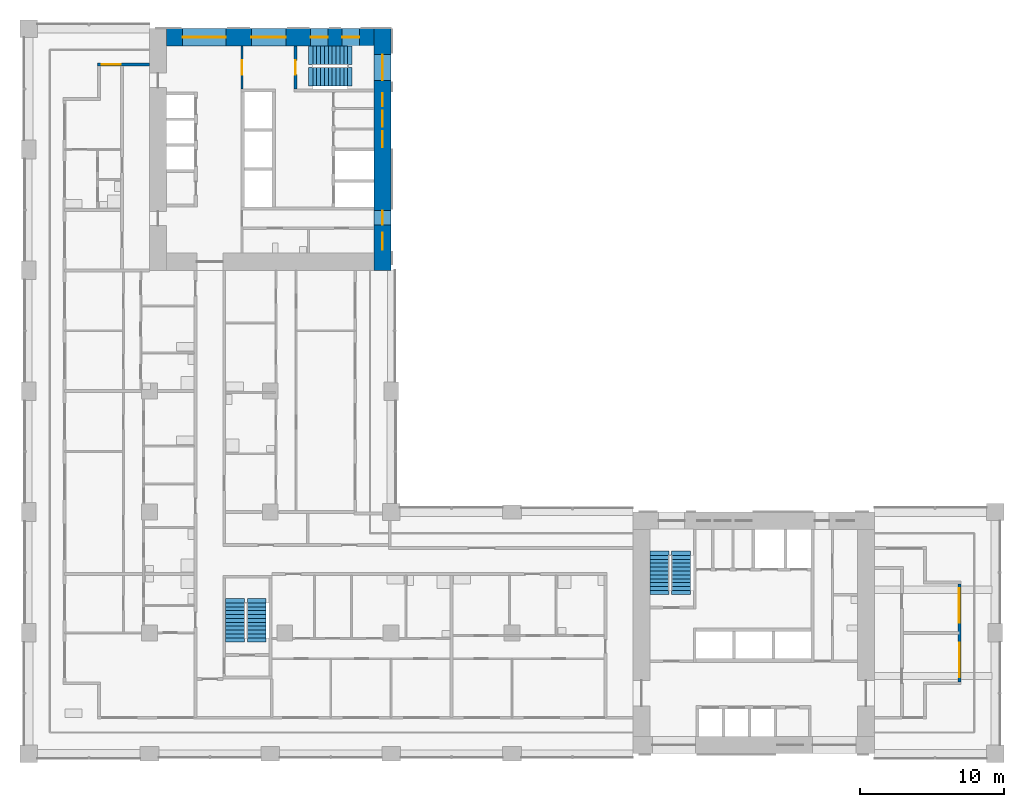
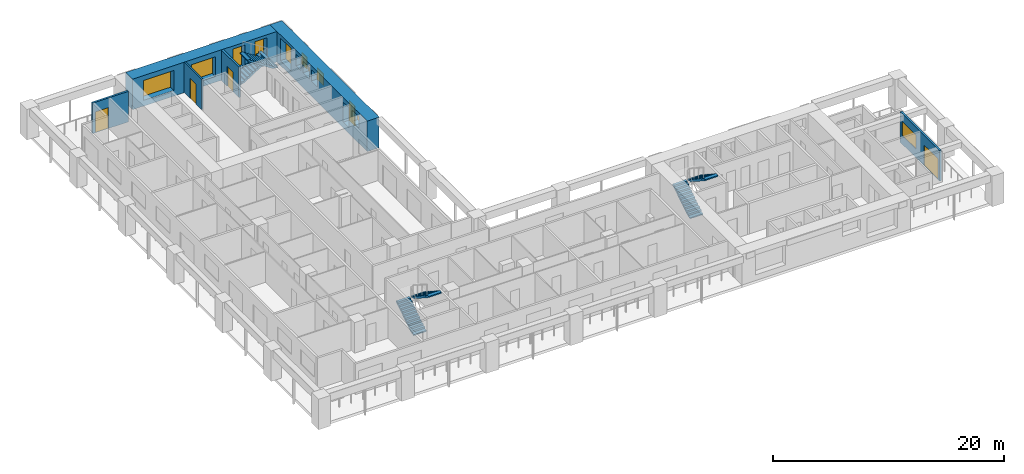
# One storey, part 8 of 17: 11 windows, 6 stair flights, 6 walls, 4 doors, 15 openings, 3 elements without a shape of their own.
"""IFC4 building model written with IfcOpenShell, lengths in metres."""

from ifc_helpers import new_model, si_unit, direction, frame, frame_2d, origin, place, context, subcontext, project, spatial, polyline, rectangle, outline, extrude, material, layer, layer_set, type_object, element, fill, aggregate, save


model = new_model("IFC4")

# Units and contexts
model_context = context("Model", 3, precision=1e-05, world=origin(), true_north=direction((0.0, 1.0)))
body_context = subcontext(model_context, "Body", "Model", "MODEL_VIEW")
ifc_project = project(units=[si_unit("LENGTHUNIT", "METRE"), si_unit("AREAUNIT", "SQUARE_METRE"), si_unit("VOLUMEUNIT", "CUBIC_METRE"), si_unit("PLANEANGLEUNIT", "RADIAN"), si_unit("MASSUNIT", "GRAM", prefix="KILO")], contexts=[model_context])

# Site, building, storey
site_placement = place(None, origin())
site = spatial("IfcSite", under=ifc_project, at=site_placement, CompositionType="ELEMENT")
building_placement = place(site_placement, origin())
building = spatial("IfcBuilding", under=site, at=building_placement, Name="Vermilion Gate Residences", CompositionType="ELEMENT")
storey_placement = place(building_placement, frame((0.0, 0.0, 116.199951171875)))
storey = spatial("IfcBuildingStorey", under=building, at=storey_placement, Name="L29", CompositionType="ELEMENT", Elevation=116.199951171875)

# Wall, opening, door
ifc_material_1 = material(Name="Masonry blockwork", Category="masonry")
ifc_layer_1 = layer(ifc_material_1, 0.14990234375)
ifc_layer_set_1 = layer_set([ifc_layer_1], Name="BLOCKWORK PARTITION 150 EI 120")
wall_type_1 = type_object("IfcWallType", Name="BLOCKWORK PARTITION 150 EI 120", PredefinedType="PARTITIONING", material=ifc_layer_set_1)
wall_1_placement = place(storey_placement, frame((14.824951171875, 57.60009765625, 0.0), z_axis=(0.0, 0.0, 1.0), x_axis=(0.0, -1.0, 0.0)))
wall_1 = element("IfcWall", 1, at=wall_1_placement, inside=storey, type_object=wall_type_1, Name="Core room partition B29-VW-S", PredefinedType="PARTITIONING", context=body_context, shape_type="SweptSolid", body=[
    extrude(rectangle(XDim=3.0, YDim=0.14990234375, at=frame_2d((1.5, 0.0))), origin(), (0.0, 0.0, 1.0), 3.219970703125),
])
opening_1_placement = place(wall_1_placement, frame((1.0, 0.0, 0.0)))
opening_1 = element("IfcOpeningElement", 2, at=opening_1_placement, cuts=wall_1, Name="Opening DK29113", PredefinedType="OPENING", context=body_context, shape_type="SweptSolid", body=[
    extrude(rectangle(XDim=1.0, YDim=2.10009765625, at=frame_2d((0.5, 1.050048828125))), frame((0.0, 0.0849609375, 0.0), z_axis=(0.0, -1.0, 0.0), x_axis=(1.0, 0.0, 0.0)), (0.0, 0.0, 1.0), 0.169921875),
])
ifc_material_2 = material(Name="Steel", Category="steel")
door_type_1 = type_object("IfcDoorType", Name="FIRE DOOR FD60 1000 X 2100", OperationType="SINGLE_SWING_LEFT", PredefinedType="DOOR", material=ifc_material_2)
door_1_placement = place(opening_1_placement, frame((1.0, 0.0, 0.0), z_axis=(0.0, 0.0, 1.0), x_axis=(-1.0, 0.0, 0.0)))
door_1 = element("IfcDoor", 3, at=door_1_placement, inside=storey, type_object=door_type_1, Name="Stair vestibule door B29", OperationType="SINGLE_SWING_RIGHT", OverallHeight=2.10009765625, OverallWidth=1.0, PredefinedType="DOOR", context=body_context, shape_type="SweptSolid", body=[
    extrude(rectangle(XDim=1.0, YDim=2.10009765625, at=frame_2d((0.5, 1.050048828125))), frame((0.0, 0.02490234375, 0.0), z_axis=(0.0, -1.0, 0.0), x_axis=(1.0, 0.0, 0.0)), (0.0, 0.0, 1.0), 0.050048828125),
])
fill(opening_1, door_1)

ifc_material_3 = material(Name="Insulated steel stud wall with terracotta rainscreen", Category="masonry")
ifc_layer_2 = layer(ifc_material_3, 0.199951171875)
ifc_layer_set_2 = layer_set([ifc_layer_2], Name="EXTERNAL WALL 200 TERRACOTTA RAINSCREEN")
wall_type_2 = type_object("IfcWallType", Name="EXTERNAL WALL 200 TERRACOTTA RAINSCREEN", PredefinedType="SOLIDWALL", material=ifc_layer_set_2)
wall_2_placement = place(storey_placement, frame((8.39990234375, 56.300048828125, 0.0), z_axis=(0.0, 0.0, 1.0), x_axis=(-1.0, 0.0, 0.0)))
wall_2 = element("IfcWall", 4, at=wall_2_placement, inside=storey, type_object=wall_type_2, Name="External wall", PredefinedType="SOLIDWALL", context=body_context, shape_type="SweptSolid", body=[
    extrude(rectangle(XDim=3.599853515625, YDim=0.199951171875, at=frame_2d((1.7998046875, 0.0))), origin(), (0.0, 0.0, 1.0), 3.219970703125),
])
opening_2_placement = place(wall_2_placement, frame((2.0, 0.0, 0.0)))
opening_2 = element("IfcOpeningElement", 5, at=opening_2_placement, cuts=wall_2, Name="Opening DE29001", PredefinedType="OPENING", context=body_context, shape_type="SweptSolid", body=[
    extrude(rectangle(XDim=1.300048828125, YDim=2.199951171875, at=frame_2d((0.64990234375, 1.10009765625))), frame((0.0, 0.10986328125, 0.0), z_axis=(0.0, -1.0, 0.0), x_axis=(1.0, 0.0, 0.0)), (0.0, 0.0, 1.0), 0.219970703125),
])
ifc_material_4 = material(Name="Aluminium and clear glass", Category="aluminium")
door_type_2 = type_object("IfcDoorType", Name="SLIDING GLAZED DOOR 1300 X 2200", OperationType="DOUBLE_DOOR_SLIDING", PredefinedType="DOOR", material=ifc_material_4)
door_2_placement = place(opening_2_placement, origin())
door_2 = element("IfcDoor", 6, at=door_2_placement, inside=storey, type_object=door_type_2, Name="Loggia sliding door", OperationType="DOUBLE_DOOR_SLIDING", OverallHeight=2.199951171875, OverallWidth=1.300048828125, PredefinedType="DOOR", context=body_context, shape_type="SweptSolid", body=[
    extrude(rectangle(XDim=1.300048828125, YDim=2.199951171875, at=frame_2d((0.64990234375, 1.10009765625))), frame((0.0, 0.02490234375, 0.0), z_axis=(0.0, -1.0, 0.0), x_axis=(1.0, 0.0, 0.0)), (0.0, 0.0, 1.0), 0.050048828125),
])
fill(opening_2, door_2)

# Wall, openings, door, window
wall_3_placement = place(storey_placement, frame((64.699951171875, 13.39990234375, 0.0), z_axis=(0.0, 0.0, 1.0), x_axis=(0.0, 1.0, 0.0)))
wall_3 = element("IfcWall", 7, at=wall_3_placement, inside=storey, type_object=wall_type_2, Name="External wall", PredefinedType="SOLIDWALL", context=body_context, shape_type="SweptSolid", body=[
    extrude(rectangle(XDim=6.800048828125, YDim=0.199951171875, at=frame_2d((3.39990234375, 0.0))), origin(), (0.0, 0.0, 1.0), 3.219970703125),
])
opening_3_placement = place(wall_3_placement, frame((4.10009765625, 0.0, 0.89990234375)))
opening_3 = element("IfcOpeningElement", 8, at=opening_3_placement, cuts=wall_3, Name="Opening WE29022", PredefinedType="OPENING", context=body_context, shape_type="SweptSolid", body=[
    extrude(rectangle(XDim=2.39990234375, YDim=1.5, at=frame_2d((1.199951171875, 0.75))), frame((0.0, 0.10986328125, 0.0), z_axis=(0.0, -1.0, 0.0), x_axis=(1.0, 0.0, 0.0)), (0.0, 0.0, 1.0), 0.219970703125),
])
opening_4_placement = place(wall_3_placement, frame((0.300048828125, 0.0, 0.0)))
opening_4 = element("IfcOpeningElement", 9, at=opening_4_placement, cuts=wall_3, Name="Opening DE29028", PredefinedType="OPENING", context=body_context, shape_type="SweptSolid", body=[
    extrude(rectangle(XDim=2.39990234375, YDim=2.199951171875, at=frame_2d((1.199951171875, 1.10009765625))), frame((0.0, 0.10986328125, 0.0), z_axis=(0.0, -1.0, 0.0), x_axis=(1.0, 0.0, 0.0)), (0.0, 0.0, 1.0), 0.219970703125),
])
ifc_material_5 = material(Name="Aluminium and clear glass", Category="aluminium")
door_type_3 = type_object("IfcDoorType", Name="SLIDING GLAZED DOOR 2400 X 2200", OperationType="DOUBLE_DOOR_SLIDING", PredefinedType="DOOR", material=ifc_material_5)
door_3_placement = place(opening_4_placement, origin())
door_3 = element("IfcDoor", 10, at=door_3_placement, inside=storey, type_object=door_type_3, Name="Loggia sliding door", OperationType="DOUBLE_DOOR_SLIDING", OverallHeight=2.199951171875, OverallWidth=2.39990234375, PredefinedType="DOOR", context=body_context, shape_type="SweptSolid", body=[
    extrude(rectangle(XDim=2.39990234375, YDim=2.199951171875, at=frame_2d((1.199951171875, 1.10009765625))), frame((0.0, 0.02490234375, 0.0), z_axis=(0.0, -1.0, 0.0), x_axis=(1.0, 0.0, 0.0)), (0.0, 0.0, 1.0), 0.050048828125),
])
fill(opening_4, door_3)
ifc_material_6 = material(Name="Aluminium and clear glass", Category="aluminium")
window_type_1 = type_object("IfcWindowType", Name="WINDOW 2400 X 1500", PartitioningType="SINGLE_PANEL", PredefinedType="WINDOW", material=ifc_material_6)
window_1_placement = place(opening_3_placement, origin())
window_1 = element("IfcWindow", 11, at=window_1_placement, inside=storey, type_object=window_type_1, Name="Window", OverallHeight=1.5, OverallWidth=2.39990234375, PartitioningType="SINGLE_PANEL", PredefinedType="WINDOW", context=body_context, shape_type="SweptSolid", body=[
    extrude(rectangle(XDim=2.39990234375, YDim=1.5, at=frame_2d((1.199951171875, 0.75))), frame((0.0, 0.030029296875, 0.0), z_axis=(0.0, -1.0, 0.0), x_axis=(1.0, 0.0, 0.0)), (0.0, 0.0, 1.0), 0.06005859375),
])
fill(opening_3, window_1)

# Wall, opening, door
ifc_material_7 = material(Name="Concrete C60", Category="concrete")
ifc_layer_3 = layer(ifc_material_7, 0.199951171875)
ifc_layer_set_3 = layer_set([ifc_layer_3], Name="RC CORE INTERNAL WALL 200 C60")
wall_type_3 = type_object("IfcWallType", Name="RC CORE INTERNAL WALL 200 C60", PredefinedType="SHEAR", material=ifc_layer_set_3)
wall_4_placement = place(storey_placement, frame((18.550048828125, 57.60009765625, 0.0), z_axis=(0.0, 0.0, 1.0), x_axis=(0.0, -1.0, 0.0)))
wall_4 = element("IfcWall", 12, at=wall_4_placement, inside=storey, type_object=wall_type_3, Name="Core internal wall B29-STW-S", PredefinedType="SHEAR", context=body_context, shape_type="SweptSolid", body=[
    extrude(rectangle(XDim=3.0, YDim=0.199951171875, at=frame_2d((1.5, 0.0))), origin(), (0.0, 0.0, 1.0), 3.219970703125),
])
opening_5_placement = place(wall_4_placement, frame((1.0, 0.0, 0.0)))
opening_5 = element("IfcOpeningElement", 13, at=opening_5_placement, cuts=wall_4, Name="Opening DK29114", PredefinedType="OPENING", context=body_context, shape_type="SweptSolid", body=[
    extrude(rectangle(XDim=1.0, YDim=2.10009765625, at=frame_2d((0.5, 1.050048828125))), frame((0.0, 0.10986328125, 0.0), z_axis=(0.0, -1.0, 0.0), x_axis=(1.0, 0.0, 0.0)), (0.0, 0.0, 1.0), 0.219970703125),
])
door_4_placement = place(opening_5_placement, origin())
door_4 = element("IfcDoor", 14, at=door_4_placement, inside=storey, type_object=door_type_1, Name="Stair door B29", OperationType="SINGLE_SWING_LEFT", OverallHeight=2.10009765625, OverallWidth=1.0, PredefinedType="DOOR", context=body_context, shape_type="SweptSolid", body=[
    extrude(rectangle(XDim=1.0, YDim=2.10009765625, at=frame_2d((0.5, 1.050048828125))), frame((0.0, 0.02490234375, 0.0), z_axis=(0.0, -1.0, 0.0), x_axis=(1.0, 0.0, 0.0)), (0.0, 0.0, 1.0), 0.050048828125),
])
fill(opening_5, door_4)

# Wall, openings, windows
ifc_material_8 = material(Name="Concrete C70 red-oxide pigmented", Category="concrete")
ifc_layer_4 = layer(ifc_material_8, 1.199951171875)
ifc_layer_set_4 = layer_set([ifc_layer_4], Name="RC CORE WALL 1200 C70 RED OXIDE")
wall_type_4 = type_object("IfcWallType", Name="RC CORE WALL 1200 C70 RED OXIDE", PredefinedType="SHEAR", material=ifc_layer_set_4)
wall_5_placement = place(storey_placement, frame((24.60009765625, 58.800048828125, 0.0), z_axis=(0.0, 0.0, 1.0), x_axis=(0.0, -1.0, 0.0)))
wall_5 = element("IfcWall", 15, at=wall_5_placement, inside=storey, type_object=wall_type_4, Name="Core wall B29-OUT-B1", PredefinedType="SHEAR", context=body_context, shape_type="SweptSolid", body=[
    extrude(rectangle(XDim=16.800048828125, YDim=1.199951171875, at=frame_2d((8.39990234375, 0.0))), origin(), (0.0, 0.0, 1.0), 3.219970703125),
])
opening_6_placement = place(wall_5_placement, frame((1.800048828125, 0.0, 0.5)))
opening_6 = element("IfcOpeningElement", 16, at=opening_6_placement, cuts=wall_5, Name="Opening WKB2901", PredefinedType="OPENING", context=body_context, shape_type="SweptSolid", body=[
    extrude(rectangle(XDim=1.800048828125, YDim=2.39990234375, at=frame_2d((0.89990234375, 1.199951171875))), frame((0.0, 0.60986328125, 0.0), z_axis=(0.0, -1.0, 0.0), x_axis=(1.0, 0.0, 0.0)), (0.0, 0.0, 1.0), 1.219970703125),
])
opening_7_placement = place(wall_5_placement, frame((4.489990234375, 0.0, 1.60009765625)))
opening_7 = element("IfcOpeningElement", 17, at=opening_7_placement, cuts=wall_5, Name="Opening WKB2902", PredefinedType="OPENING", context=body_context, shape_type="SweptSolid", body=[
    extrude(rectangle(XDim=0.89990234375, YDim=1.199951171875, at=frame_2d((0.449951171875, 0.60009765625))), frame((0.0, 0.60986328125, 0.0), z_axis=(0.0, -1.0, 0.0), x_axis=(1.0, 0.0, 0.0)), (0.0, 0.0, 1.0), 1.219970703125),
])
opening_8_placement = place(wall_5_placement, frame((5.7099609375, 0.0, 1.60009765625)))
opening_8 = element("IfcOpeningElement", 18, at=opening_8_placement, cuts=wall_5, Name="Opening WKB2903", PredefinedType="OPENING", context=body_context, shape_type="SweptSolid", body=[
    extrude(rectangle(XDim=1.10009765625, YDim=1.199951171875, at=frame_2d((0.550048828125, 0.60009765625))), frame((0.0, 0.60986328125, 0.0), z_axis=(0.0, -1.0, 0.0), x_axis=(1.0, 0.0, 0.0)), (0.0, 0.0, 1.0), 1.219970703125),
])
opening_9_placement = place(wall_5_placement, frame((7.14990234375, 0.0, 1.60009765625)))
opening_9 = element("IfcOpeningElement", 19, at=opening_9_placement, cuts=wall_5, Name="Opening WKB2904", PredefinedType="OPENING", context=body_context, shape_type="SweptSolid", body=[
    extrude(rectangle(XDim=1.10009765625, YDim=1.199951171875, at=frame_2d((0.550048828125, 0.60009765625))), frame((0.0, 0.60986328125, 0.0), z_axis=(0.0, -1.0, 0.0), x_axis=(1.0, 0.0, 0.0)), (0.0, 0.0, 1.0), 1.219970703125),
])
opening_10_placement = place(wall_5_placement, frame((12.64990234375, 0.0, 0.60009765625)))
opening_10 = element("IfcOpeningElement", 20, at=opening_10_placement, cuts=wall_5, Name="Opening WKB2905", PredefinedType="OPENING", context=body_context, shape_type="SweptSolid", body=[
    extrude(rectangle(XDim=1.0, YDim=2.10009765625, at=frame_2d((0.5, 1.050048828125))), frame((0.0, 0.60986328125, 0.0), z_axis=(0.0, -1.0, 0.0), x_axis=(1.0, 0.0, 0.0)), (0.0, 0.0, 1.0), 1.219970703125),
])
opening_11_placement = place(wall_5_placement, frame((14.175048828125, 0.0, 1.60009765625)))
opening_11 = element("IfcOpeningElement", 21, at=opening_11_placement, cuts=wall_5, Name="Opening WKB2906", PredefinedType="OPENING", context=body_context, shape_type="SweptSolid", body=[
    extrude(rectangle(XDim=1.199951171875, YDim=1.199951171875, at=frame_2d((0.60009765625, 0.60009765625))), frame((0.0, 0.60986328125, 0.0), z_axis=(0.0, -1.0, 0.0), x_axis=(1.0, 0.0, 0.0)), (0.0, 0.0, 1.0), 1.219970703125),
])
ifc_material_9 = material(Name="Aluminium and clear glass", Category="aluminium")
window_type_2 = type_object("IfcWindowType", Name="CORE CORRIDOR WINDOW 1000 X 2100", PartitioningType="SINGLE_PANEL", PredefinedType="WINDOW", material=ifc_material_9)
window_2_placement = place(opening_10_placement, origin())
window_2 = element("IfcWindow", 22, at=window_2_placement, inside=storey, type_object=window_type_2, Name="Core corridor window", OverallHeight=2.10009765625, OverallWidth=1.0, PartitioningType="SINGLE_PANEL", PredefinedType="WINDOW", context=body_context, shape_type="SweptSolid", body=[
    extrude(rectangle(XDim=1.0, YDim=2.10009765625, at=frame_2d((0.5, 1.050048828125))), frame((0.0, 0.030029296875, 0.0), z_axis=(0.0, -1.0, 0.0), x_axis=(1.0, 0.0, 0.0)), (0.0, 0.0, 1.0), 0.06005859375),
])
fill(opening_10, window_2)
ifc_material_10 = material(Name="Aluminium frame with louvre blades", Category="aluminium")
window_type_3 = type_object("IfcWindowType", Name="CORE LOUVRE 1100 X 1200", PartitioningType="SINGLE_PANEL", PredefinedType="WINDOW", material=ifc_material_10)
window_3_placement = place(opening_8_placement, origin())
window_3 = element("IfcWindow", 23, at=window_3_placement, inside=storey, type_object=window_type_3, Name="Core louvre", OverallHeight=1.199951171875, OverallWidth=1.10009765625, PartitioningType="SINGLE_PANEL", PredefinedType="WINDOW", context=body_context, shape_type="SweptSolid", body=[
    extrude(rectangle(XDim=1.10009765625, YDim=1.199951171875, at=frame_2d((0.550048828125, 0.60009765625))), frame((0.0, 0.030029296875, 0.0), z_axis=(0.0, -1.0, 0.0), x_axis=(1.0, 0.0, 0.0)), (0.0, 0.0, 1.0), 0.06005859375),
])
fill(opening_8, window_3)
window_4_placement = place(opening_9_placement, origin())
window_4 = element("IfcWindow", 24, at=window_4_placement, inside=storey, type_object=window_type_3, Name="Core louvre", OverallHeight=1.199951171875, OverallWidth=1.10009765625, PartitioningType="SINGLE_PANEL", PredefinedType="WINDOW", context=body_context, shape_type="SweptSolid", body=[
    extrude(rectangle(XDim=1.10009765625, YDim=1.199951171875, at=frame_2d((0.550048828125, 0.60009765625))), frame((0.0, 0.030029296875, 0.0), z_axis=(0.0, -1.0, 0.0), x_axis=(1.0, 0.0, 0.0)), (0.0, 0.0, 1.0), 0.06005859375),
])
fill(opening_9, window_4)
ifc_material_11 = material(Name="Aluminium frame with louvre blades", Category="aluminium")
window_type_4 = type_object("IfcWindowType", Name="CORE LOUVRE 1200 X 1200", PartitioningType="SINGLE_PANEL", PredefinedType="WINDOW", material=ifc_material_11)
window_5_placement = place(opening_11_placement, origin())
window_5 = element("IfcWindow", 25, at=window_5_placement, inside=storey, type_object=window_type_4, Name="Core louvre", OverallHeight=1.199951171875, OverallWidth=1.199951171875, PartitioningType="SINGLE_PANEL", PredefinedType="WINDOW", context=body_context, shape_type="SweptSolid", body=[
    extrude(rectangle(XDim=1.199951171875, YDim=1.199951171875, at=frame_2d((0.60009765625, 0.60009765625))), frame((0.0, 0.030029296875, 0.0), z_axis=(0.0, -1.0, 0.0), x_axis=(1.0, 0.0, 0.0)), (0.0, 0.0, 1.0), 0.06005859375),
])
fill(opening_11, window_5)
ifc_material_12 = material(Name="Aluminium frame with louvre blades", Category="aluminium")
window_type_5 = type_object("IfcWindowType", Name="CORE LOUVRE 900 X 1200", PartitioningType="SINGLE_PANEL", PredefinedType="WINDOW", material=ifc_material_12)
window_6_placement = place(opening_7_placement, origin())
window_6 = element("IfcWindow", 26, at=window_6_placement, inside=storey, type_object=window_type_5, Name="Core louvre", OverallHeight=1.199951171875, OverallWidth=0.89990234375, PartitioningType="SINGLE_PANEL", PredefinedType="WINDOW", context=body_context, shape_type="SweptSolid", body=[
    extrude(rectangle(XDim=0.89990234375, YDim=1.199951171875, at=frame_2d((0.449951171875, 0.60009765625))), frame((0.0, 0.030029296875, 0.0), z_axis=(0.0, -1.0, 0.0), x_axis=(1.0, 0.0, 0.0)), (0.0, 0.0, 1.0), 0.06005859375),
])
fill(opening_7, window_6)
ifc_material_13 = material(Name="Aluminium and clear glass", Category="aluminium")
window_type_6 = type_object("IfcWindowType", Name="CORE STAIR WINDOW 1800 X 2400", PartitioningType="SINGLE_PANEL", PredefinedType="WINDOW", material=ifc_material_13)
window_7_placement = place(opening_6_placement, origin())
window_7 = element("IfcWindow", 27, at=window_7_placement, inside=storey, type_object=window_type_6, Name="Core stair window", OverallHeight=2.39990234375, OverallWidth=1.800048828125, PartitioningType="SINGLE_PANEL", PredefinedType="WINDOW", context=body_context, shape_type="SweptSolid", body=[
    extrude(rectangle(XDim=1.800048828125, YDim=2.39990234375, at=frame_2d((0.89990234375, 1.199951171875))), frame((0.0, 0.030029296875, 0.0), z_axis=(0.0, -1.0, 0.0), x_axis=(1.0, 0.0, 0.0)), (0.0, 0.0, 1.0), 0.06005859375),
])
fill(opening_6, window_7)

wall_6_placement = place(storey_placement, frame((9.60009765625, 58.199951171875, 0.0), z_axis=(0.0, 0.0, 1.0), x_axis=(1.0, 0.0, 0.0)))
wall_6 = element("IfcWall", 28, at=wall_6_placement, inside=storey, type_object=wall_type_4, Name="Core wall B29-OUT-FR", PredefinedType="SHEAR", context=body_context, shape_type="SweptSolid", body=[
    extrude(rectangle(XDim=14.39990234375, YDim=1.199951171875, at=frame_2d((7.199951171875, 0.0))), origin(), (0.0, 0.0, 1.0), 3.219970703125),
])
opening_12_placement = place(wall_6_placement, frame((1.10498046875, 0.0, 0.60009765625)))
opening_12 = element("IfcOpeningElement", 29, at=opening_12_placement, cuts=wall_6, Name="Opening WKB2907", PredefinedType="OPENING", context=body_context, shape_type="SweptSolid", body=[
    extrude(rectangle(XDim=3.0, YDim=2.10009765625, at=frame_2d((1.5, 1.050048828125))), frame((0.0, 0.60986328125, 0.0), z_axis=(0.0, -1.0, 0.0), x_axis=(1.0, 0.0, 0.0)), (0.0, 0.0, 1.0), 1.219970703125),
])
opening_13_placement = place(wall_6_placement, frame((5.875, 0.0, 0.60009765625)))
opening_13 = element("IfcOpeningElement", 30, at=opening_13_placement, cuts=wall_6, Name="Opening WKB2908", PredefinedType="OPENING", context=body_context, shape_type="SweptSolid", body=[
    extrude(rectangle(XDim=2.39990234375, YDim=2.10009765625, at=frame_2d((1.199951171875, 1.050048828125))), frame((0.0, 0.60986328125, 0.0), z_axis=(0.0, -1.0, 0.0), x_axis=(1.0, 0.0, 0.0)), (0.0, 0.0, 1.0), 1.219970703125),
])
opening_14_placement = place(wall_6_placement, frame((9.993408203125, 0.0, 0.5)))
opening_14 = element("IfcOpeningElement", 31, at=opening_14_placement, cuts=wall_6, Name="Opening WKB2909", PredefinedType="OPENING", context=body_context, shape_type="SweptSolid", body=[
    extrude(rectangle(XDim=1.199951171875, YDim=2.39990234375, at=frame_2d((0.60009765625, 1.199951171875))), frame((0.0, 0.60986328125, 0.0), z_axis=(0.0, -1.0, 0.0), x_axis=(1.0, 0.0, 0.0)), (0.0, 0.0, 1.0), 1.219970703125),
])
opening_15_placement = place(wall_6_placement, frame((12.19677734375, 0.0, 0.5)))
opening_15 = element("IfcOpeningElement", 32, at=opening_15_placement, cuts=wall_6, Name="Opening WKB2910", PredefinedType="OPENING", context=body_context, shape_type="SweptSolid", body=[
    extrude(rectangle(XDim=1.199951171875, YDim=2.39990234375, at=frame_2d((0.60009765625, 1.199951171875))), frame((0.0, 0.60986328125, 0.0), z_axis=(0.0, -1.0, 0.0), x_axis=(1.0, 0.0, 0.0)), (0.0, 0.0, 1.0), 1.219970703125),
])
ifc_material_14 = material(Name="Aluminium and clear glass", Category="aluminium")
window_type_7 = type_object("IfcWindowType", Name="CORE LOBBY WINDOW 2400 X 2100", PartitioningType="SINGLE_PANEL", PredefinedType="WINDOW", material=ifc_material_14)
window_8_placement = place(opening_13_placement, origin())
window_8 = element("IfcWindow", 33, at=window_8_placement, inside=storey, type_object=window_type_7, Name="Core lobby window", OverallHeight=2.10009765625, OverallWidth=2.39990234375, PartitioningType="SINGLE_PANEL", PredefinedType="WINDOW", context=body_context, shape_type="SweptSolid", body=[
    extrude(rectangle(XDim=2.39990234375, YDim=2.10009765625, at=frame_2d((1.199951171875, 1.050048828125))), frame((0.0, 0.030029296875, 0.0), z_axis=(0.0, -1.0, 0.0), x_axis=(1.0, 0.0, 0.0)), (0.0, 0.0, 1.0), 0.06005859375),
])
fill(opening_13, window_8)
ifc_material_15 = material(Name="Aluminium and clear glass", Category="aluminium")
window_type_8 = type_object("IfcWindowType", Name="CORE LOBBY WINDOW 3000 X 2100", PartitioningType="SINGLE_PANEL", PredefinedType="WINDOW", material=ifc_material_15)
window_9_placement = place(opening_12_placement, origin())
window_9 = element("IfcWindow", 34, at=window_9_placement, inside=storey, type_object=window_type_8, Name="Core lobby window", OverallHeight=2.10009765625, OverallWidth=3.0, PartitioningType="SINGLE_PANEL", PredefinedType="WINDOW", context=body_context, shape_type="SweptSolid", body=[
    extrude(rectangle(XDim=3.0, YDim=2.10009765625, at=frame_2d((1.5, 1.050048828125))), frame((0.0, 0.030029296875, 0.0), z_axis=(0.0, -1.0, 0.0), x_axis=(1.0, 0.0, 0.0)), (0.0, 0.0, 1.0), 0.06005859375),
])
fill(opening_12, window_9)
ifc_material_16 = material(Name="Aluminium and clear glass", Category="aluminium")
window_type_9 = type_object("IfcWindowType", Name="CORE STAIR WINDOW 1200 X 2400", PartitioningType="SINGLE_PANEL", PredefinedType="WINDOW", material=ifc_material_16)
window_10_placement = place(opening_14_placement, origin())
window_10 = element("IfcWindow", 35, at=window_10_placement, inside=storey, type_object=window_type_9, Name="Core stair window", OverallHeight=2.39990234375, OverallWidth=1.199951171875, PartitioningType="SINGLE_PANEL", PredefinedType="WINDOW", context=body_context, shape_type="SweptSolid", body=[
    extrude(rectangle(XDim=1.199951171875, YDim=2.39990234375, at=frame_2d((0.60009765625, 1.199951171875))), frame((0.0, 0.030029296875, 0.0), z_axis=(0.0, -1.0, 0.0), x_axis=(1.0, 0.0, 0.0)), (0.0, 0.0, 1.0), 0.06005859375),
])
fill(opening_14, window_10)
window_11_placement = place(opening_15_placement, origin())
window_11 = element("IfcWindow", 36, at=window_11_placement, inside=storey, type_object=window_type_9, Name="Core stair window", OverallHeight=2.39990234375, OverallWidth=1.199951171875, PartitioningType="SINGLE_PANEL", PredefinedType="WINDOW", context=body_context, shape_type="SweptSolid", body=[
    extrude(rectangle(XDim=1.199951171875, YDim=2.39990234375, at=frame_2d((0.60009765625, 1.199951171875))), frame((0.0, 0.030029296875, 0.0), z_axis=(0.0, -1.0, 0.0), x_axis=(1.0, 0.0, 0.0)), (0.0, 0.0, 1.0), 0.06005859375),
])
fill(opening_15, window_11)

# Stair, stair flights
ifc_material_17 = material(Name="Concrete C50", Category="concrete")
stair_type = type_object("IfcStairType", Name="SPECIAL ESCAPE STAIR 1300", PredefinedType="HALF_TURN_STAIR", material=ifc_material_17)
stair_1_placement = place(storey_placement, origin())
stair_1 = element("IfcStair", 37, at=stair_1_placement, inside=storey, type_object=stair_type, Name="Special escape stair STA1-29", PredefinedType="HALF_TURN_STAIR")
ifc_material_18 = material(Name="Concrete C50", Category="concrete")
stair_flight_type = type_object("IfcStairFlightType", Name="STAIR FLIGHT 1300 RC C50", PredefinedType="STRAIGHT", material=ifc_material_18)
stair_flight_1_placement = place(storey_placement, frame((43.85009765625, 19.75, 0.0), z_axis=(0.0, 0.0, 1.0), x_axis=(0.0, 1.0, 0.0)))
stair_flight_1 = element("IfcStairFlight", 38, at=stair_flight_1_placement, type_object=stair_flight_type, Name="STA1-29 flight 1", NumberOfRisers=10, NumberOfTreads=9, PredefinedType="STRAIGHT", RiserHeight=0.175, TreadLength=0.27, context=body_context, shape_type="SweptSolid", body=[
    extrude(outline(polyline([(-0.300048828125, -0.14990234375), (-0.300048828125, -0.030029296875), (0.0, 0.0), (0.0, 0.175048828125), (0.27001953125, 0.175048828125), (0.27001953125, 0.35009765625), (0.5400390625, 0.35009765625), (0.5400390625, 0.52490234375), (0.81005859375, 0.52490234375), (0.81005859375, 0.699951171875), (1.080078125, 0.699951171875), (1.080078125, 0.875), (1.35009765625, 0.875), (1.35009765625, 1.050048828125), (1.6201171875, 1.050048828125), (1.6201171875, 1.22509765625), (1.889892578125, 1.22509765625), (1.889892578125, 1.39990234375), (2.159912109375, 1.39990234375), (2.159912109375, 1.574951171875), (2.429931640625, 1.574951171875), (2.429931640625, 1.75), (2.72998046875, 1.719970703125), (2.72998046875, 1.60009765625), (2.429931640625, 1.396484375), (0.275634765625, 0.0), (-0.300048828125, -0.14990234375)])), frame((0.0, 0.64990234375, 0.0), z_axis=(0.0, -1.0, 0.0), x_axis=(1.0, 0.0, 0.0)), (0.0, 0.0, 1.0), 1.300048828125),
])
stair_flight_2_placement = place(storey_placement, frame((45.35009765625, 22.179931640625, 1.75), z_axis=(0.0, 0.0, 1.0), x_axis=(0.0, -1.0, 0.0)))
stair_flight_2 = element("IfcStairFlight", 39, at=stair_flight_2_placement, type_object=stair_flight_type, Name="STA1-29 flight 2", NumberOfRisers=10, NumberOfTreads=9, PredefinedType="STRAIGHT", RiserHeight=0.175, TreadLength=0.27, context=body_context, shape_type="SweptSolid", body=[
    extrude(outline(polyline([(-0.300048828125, -0.14990234375), (-0.300048828125, -0.030029296875), (0.0, 0.0), (0.0, 0.175048828125), (0.27001953125, 0.175048828125), (0.27001953125, 0.35009765625), (0.5400390625, 0.35009765625), (0.5400390625, 0.52490234375), (0.81005859375, 0.52490234375), (0.81005859375, 0.699951171875), (1.080078125, 0.699951171875), (1.080078125, 0.875), (1.35009765625, 0.875), (1.35009765625, 1.050048828125), (1.6201171875, 1.050048828125), (1.6201171875, 1.22509765625), (1.889892578125, 1.22509765625), (1.889892578125, 1.39990234375), (2.159912109375, 1.39990234375), (2.159912109375, 1.574951171875), (2.429931640625, 1.574951171875), (2.429931640625, 1.75), (2.72998046875, 1.719970703125), (2.72998046875, 1.60009765625), (2.429931640625, 1.396484375), (0.275634765625, 0.0), (-0.300048828125, -0.14990234375)])), frame((0.0, 0.64990234375, 0.0), z_axis=(0.0, -1.0, 0.0), x_axis=(1.0, 0.0, 0.0)), (0.0, 0.0, 1.0), 1.300048828125),
])
aggregate(stair_1, [stair_flight_1, stair_flight_2])

stair_2_placement = place(storey_placement, origin())
stair_2 = element("IfcStair", 40, at=stair_2_placement, inside=storey, type_object=stair_type, Name="Special escape stair STB1-29", PredefinedType="HALF_TURN_STAIR")
stair_flight_3_placement = place(storey_placement, frame((19.75, 56.949951171875, 0.0), z_axis=(0.0, 0.0, 1.0), x_axis=(1.0, 0.0, 0.0)))
stair_flight_3 = element("IfcStairFlight", 41, at=stair_flight_3_placement, type_object=stair_flight_type, Name="STB1-29 flight 1", NumberOfRisers=10, NumberOfTreads=9, PredefinedType="STRAIGHT", RiserHeight=0.175, TreadLength=0.27, context=body_context, shape_type="SweptSolid", body=[
    extrude(outline(polyline([(-0.300048828125, -0.14990234375), (-0.300048828125, -0.030029296875), (0.0, 0.0), (0.0, 0.175048828125), (0.27001953125, 0.175048828125), (0.27001953125, 0.35009765625), (0.5400390625, 0.35009765625), (0.5400390625, 0.52490234375), (0.81005859375, 0.52490234375), (0.81005859375, 0.699951171875), (1.080078125, 0.699951171875), (1.080078125, 0.875), (1.35009765625, 0.875), (1.35009765625, 1.050048828125), (1.6201171875, 1.050048828125), (1.6201171875, 1.22509765625), (1.889892578125, 1.22509765625), (1.889892578125, 1.39990234375), (2.159912109375, 1.39990234375), (2.159912109375, 1.574951171875), (2.429931640625, 1.574951171875), (2.429931640625, 1.75), (2.72998046875, 1.719970703125), (2.72998046875, 1.60009765625), (2.429931640625, 1.396484375), (0.275634765625, 0.0), (-0.300048828125, -0.14990234375)])), frame((0.0, 0.64990234375, 0.0), z_axis=(0.0, -1.0, 0.0), x_axis=(1.0, 0.0, 0.0)), (0.0, 0.0, 1.0), 1.300048828125),
])
stair_flight_4_placement = place(storey_placement, frame((22.179931640625, 55.449951171875, 1.75), z_axis=(0.0, 0.0, 1.0), x_axis=(-1.0, 0.0, 0.0)))
stair_flight_4 = element("IfcStairFlight", 42, at=stair_flight_4_placement, type_object=stair_flight_type, Name="STB1-29 flight 2", NumberOfRisers=10, NumberOfTreads=9, PredefinedType="STRAIGHT", RiserHeight=0.175, TreadLength=0.27, context=body_context, shape_type="SweptSolid", body=[
    extrude(outline(polyline([(-0.300048828125, -0.14990234375), (-0.300048828125, -0.030029296875), (0.0, 0.0), (0.0, 0.175048828125), (0.27001953125, 0.175048828125), (0.27001953125, 0.35009765625), (0.5400390625, 0.35009765625), (0.5400390625, 0.52490234375), (0.81005859375, 0.52490234375), (0.81005859375, 0.699951171875), (1.080078125, 0.699951171875), (1.080078125, 0.875), (1.35009765625, 0.875), (1.35009765625, 1.050048828125), (1.6201171875, 1.050048828125), (1.6201171875, 1.22509765625), (1.889892578125, 1.22509765625), (1.889892578125, 1.39990234375), (2.159912109375, 1.39990234375), (2.159912109375, 1.574951171875), (2.429931640625, 1.574951171875), (2.429931640625, 1.75), (2.72998046875, 1.719970703125), (2.72998046875, 1.60009765625), (2.429931640625, 1.396484375), (0.275634765625, 0.0), (-0.300048828125, -0.14990234375)])), frame((0.0, 0.64990234375, 0.0), z_axis=(0.0, -1.0, 0.0), x_axis=(1.0, 0.0, 0.0)), (0.0, 0.0, 1.0), 1.300048828125),
])
aggregate(stair_2, [stair_flight_3, stair_flight_4])

stair_3_placement = place(storey_placement, origin())
stair_3 = element("IfcStair", 43, at=stair_3_placement, inside=storey, type_object=stair_type, Name="Special escape stair STC1-29", PredefinedType="HALF_TURN_STAIR")
stair_flight_5_placement = place(storey_placement, frame((14.35009765625, 16.449951171875, 0.0), z_axis=(0.0, 0.0, 1.0), x_axis=(0.0, 1.0, 0.0)))
stair_flight_5 = element("IfcStairFlight", 44, at=stair_flight_5_placement, type_object=stair_flight_type, Name="STC1-29 flight 1", NumberOfRisers=10, NumberOfTreads=9, PredefinedType="STRAIGHT", RiserHeight=0.175, TreadLength=0.27, context=body_context, shape_type="SweptSolid", body=[
    extrude(outline(polyline([(-0.300048828125, -0.14990234375), (-0.300048828125, -0.030029296875), (0.0, 0.0), (0.0, 0.175048828125), (0.27001953125, 0.175048828125), (0.27001953125, 0.35009765625), (0.5400390625, 0.35009765625), (0.5400390625, 0.52490234375), (0.81005859375, 0.52490234375), (0.81005859375, 0.699951171875), (1.080078125, 0.699951171875), (1.080078125, 0.875), (1.35009765625, 0.875), (1.35009765625, 1.050048828125), (1.6201171875, 1.050048828125), (1.6201171875, 1.22509765625), (1.889892578125, 1.22509765625), (1.889892578125, 1.39990234375), (2.159912109375, 1.39990234375), (2.159912109375, 1.574951171875), (2.429931640625, 1.574951171875), (2.429931640625, 1.75), (2.72998046875, 1.719970703125), (2.72998046875, 1.60009765625), (2.429931640625, 1.396484375), (0.275634765625, 0.0), (-0.300048828125, -0.14990234375)])), frame((0.0, 0.64990234375, 0.0), z_axis=(0.0, -1.0, 0.0), x_axis=(1.0, 0.0, 0.0)), (0.0, 0.0, 1.0), 1.300048828125),
])
stair_flight_6_placement = place(storey_placement, frame((15.85009765625, 18.8798828125, 1.75), z_axis=(0.0, 0.0, 1.0), x_axis=(0.0, -1.0, 0.0)))
stair_flight_6 = element("IfcStairFlight", 45, at=stair_flight_6_placement, type_object=stair_flight_type, Name="STC1-29 flight 2", NumberOfRisers=10, NumberOfTreads=9, PredefinedType="STRAIGHT", RiserHeight=0.175, TreadLength=0.27, context=body_context, shape_type="SweptSolid", body=[
    extrude(outline(polyline([(-0.300048828125, -0.14990234375), (-0.300048828125, -0.030029296875), (0.0, 0.0), (0.0, 0.175048828125), (0.27001953125, 0.175048828125), (0.27001953125, 0.35009765625), (0.5400390625, 0.35009765625), (0.5400390625, 0.52490234375), (0.81005859375, 0.52490234375), (0.81005859375, 0.699951171875), (1.080078125, 0.699951171875), (1.080078125, 0.875), (1.35009765625, 0.875), (1.35009765625, 1.050048828125), (1.6201171875, 1.050048828125), (1.6201171875, 1.22509765625), (1.889892578125, 1.22509765625), (1.889892578125, 1.39990234375), (2.159912109375, 1.39990234375), (2.159912109375, 1.574951171875), (2.429931640625, 1.574951171875), (2.429931640625, 1.75), (2.72998046875, 1.719970703125), (2.72998046875, 1.60009765625), (2.429931640625, 1.396484375), (0.275634765625, 0.0), (-0.300048828125, -0.14990234375)])), frame((0.0, 0.64990234375, 0.0), z_axis=(0.0, -1.0, 0.0), x_axis=(1.0, 0.0, 0.0)), (0.0, 0.0, 1.0), 1.300048828125),
])
aggregate(stair_3, [stair_flight_5, stair_flight_6])

save(model, "model.ifc")
